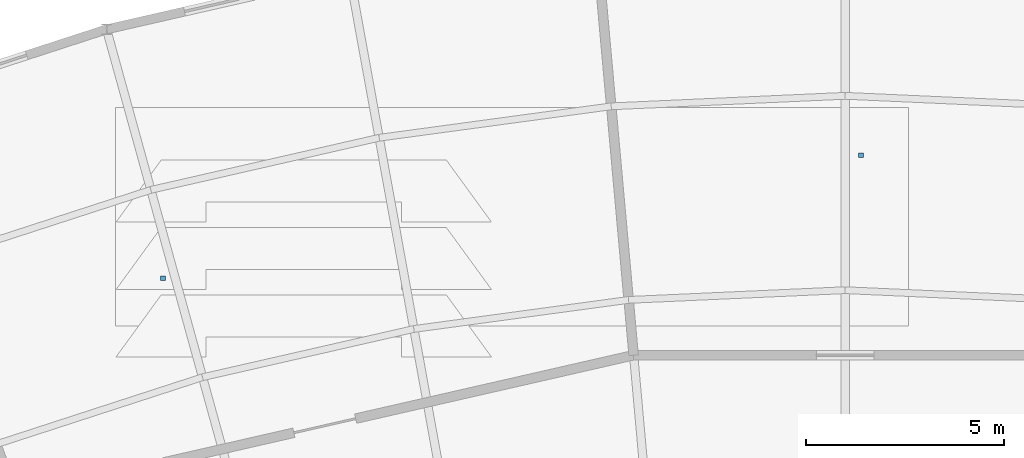
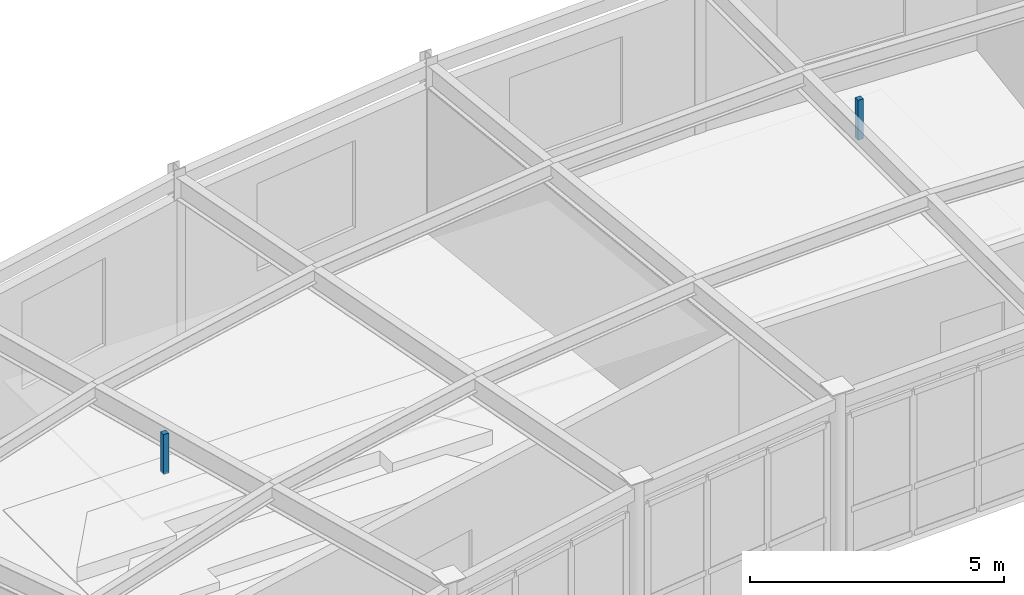
# One storey, part 46 of 54: 2 discrete accessories.
"""IFC4 building model written with IfcOpenShell, lengths in metres."""

from ifc_helpers import new_model, si_unit, direction, frame, origin, origin_2d, place, context, subcontext, project, spatial, rectangle, extrude, material, type_object, element, save


model = new_model("IFC4")

# Units and contexts
model_context = context("Model", 3, precision=1e-05, world=origin(), true_north=direction((0.0, 1.0)))
body_context = subcontext(model_context, "Body", "Model", "MODEL_VIEW")
ifc_project = project(units=[si_unit("LENGTHUNIT", "METRE"), si_unit("AREAUNIT", "SQUARE_METRE"), si_unit("VOLUMEUNIT", "CUBIC_METRE"), si_unit("PLANEANGLEUNIT", "RADIAN"), si_unit("MASSUNIT", "GRAM", prefix="KILO")], contexts=[model_context])

# Site, building, storey
site_placement = place(None, origin())
site = spatial("IfcSite", under=ifc_project, at=site_placement, CompositionType="ELEMENT")
building_placement = place(site_placement, origin())
building = spatial("IfcBuilding", under=site, at=building_placement, Name="Selat Folded Stagehouse", CompositionType="ELEMENT")
storey_placement = place(building_placement, frame((0.0, 0.0, 15.0)))
storey = spatial("IfcBuildingStorey", under=building, at=storey_placement, Name="L03", CompositionType="ELEMENT", Elevation=15.0)

# Discrete accessories
ifc_material = material(Name="Galvanised steel acoustic hanger rod", Category="steel")
discrete_accessory_type = type_object("IfcDiscreteAccessoryType", Name="ACC-HGR-960", PredefinedType="BRACKET", material=ifc_material)
for number, where, z_axis, x_axis, name in (
    (1, (75.199951171875, 99.199951171875, 3.1201171875), (0.0, 0.0, 1.0), (1.0, 0.0, 0.0), "L03 acoustic ceiling hanger CLG-L03-ORC-1"),
    (2, (92.800048828125, 102.300048828125, 3.1201171875), (0.0, 0.0, 1.0), (1.0, 0.0, 0.0), "L03 acoustic ceiling hanger CLG-L03-ORC-2"),
):
    element("IfcDiscreteAccessory", number, at=place(storey_placement, frame(where, z_axis=z_axis, x_axis=x_axis)), inside=storey, type_object=discrete_accessory_type, Name=name, PredefinedType="BRACKET", context=body_context, shape_type="SweptSolid", body=[
        extrude(rectangle(XDim=0.1201171875, YDim=0.1201171875, at=origin_2d()), origin(), (0.0, 0.0, 1.0), 0.9599609375),
    ])

save(model, "model.ifc")
